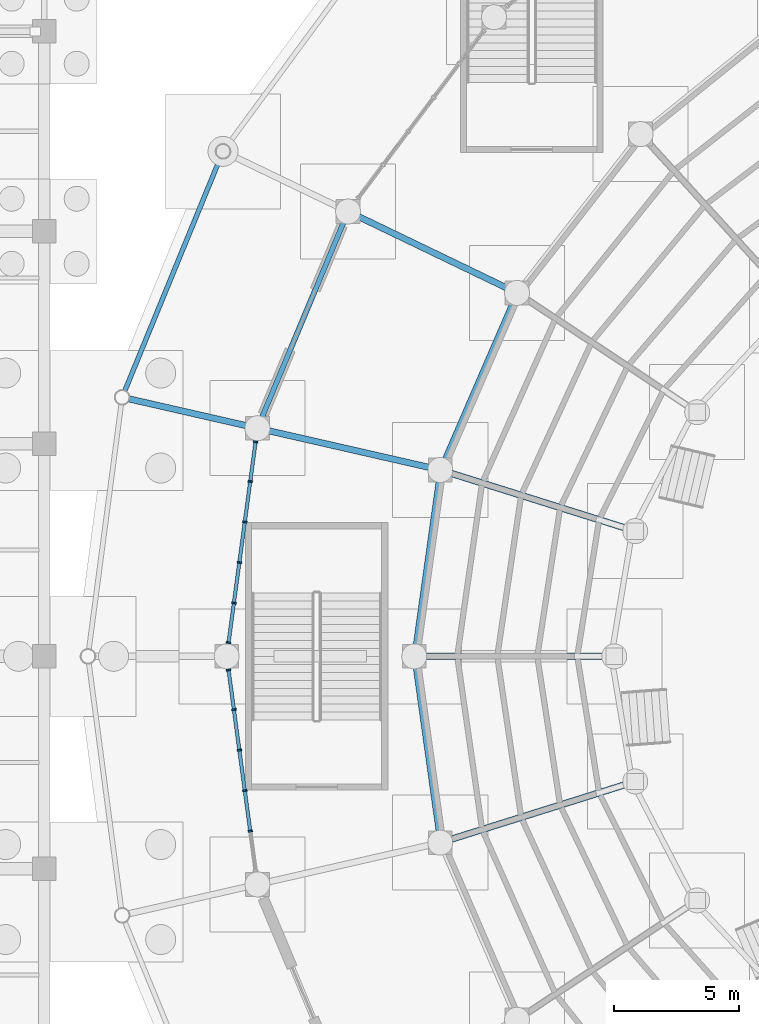
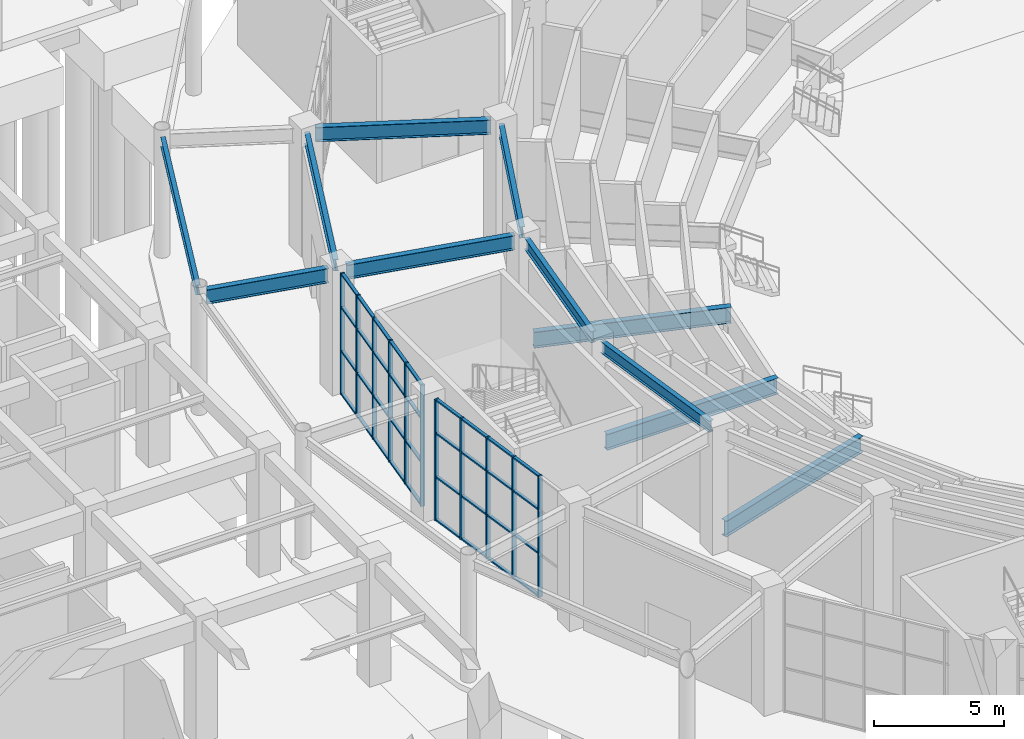
# One storey, part 39 of 121: 47 members, 11 beams, 2 elements without a shape of their own.
"""IFC4 building model written with IfcOpenShell, lengths in metres."""

from ifc_helpers import new_model, si_unit, direction, frame, origin, origin_2d, place, context, subcontext, project, spatial, rectangle, i_section, extrude, material, material_profile, profile_set, type_object, element, aggregate, save


model = new_model("IFC4")

# Units and contexts
model_context = context("Model", 3, precision=1e-05, world=origin(), true_north=direction((0.0, 1.0)))
body_context = subcontext(model_context, "Body", "Model", "MODEL_VIEW")
ifc_project = project(units=[si_unit("LENGTHUNIT", "METRE"), si_unit("AREAUNIT", "SQUARE_METRE"), si_unit("VOLUMEUNIT", "CUBIC_METRE"), si_unit("PLANEANGLEUNIT", "RADIAN"), si_unit("MASSUNIT", "GRAM", prefix="KILO")], contexts=[model_context])

# Site, building, storey
site_placement = place(None, origin())
site = spatial("IfcSite", under=ifc_project, at=site_placement, CompositionType="ELEMENT")
building_placement = place(site_placement, origin())
building = spatial("IfcBuilding", under=site, at=building_placement, Name="Cuetzalor Civic Arena", CompositionType="ELEMENT")
storey_placement = place(building_placement, origin())
storey = spatial("IfcBuildingStorey", under=building, at=storey_placement, Name="L00", CompositionType="ELEMENT", Elevation=0.0)

# Curtain wall, members
ifc_material_1 = material(Name="Anodised dark bronze aluminium and low-E solar glass", Category="aluminium")
curtain_wall_type = type_object("IfcCurtainWallType", Name="UnitisedCW_8150x5700", PredefinedType="USERDEFINED", material=ifc_material_1)
curtain_wall_1_placement = place(storey_placement, origin())
curtain_wall_1 = element("IfcCurtainWall", 1, at=curtain_wall_1_placement, inside=storey, type_object=curtain_wall_type, Name="Drum Ground Recessed Concourse Curtain Wall L00-010", ObjectType="UNITISED CURTAIN WALL", PredefinedType="USERDEFINED")
ifc_material_2 = material(Name="Anodised dark bronze aluminium", Category="aluminium")
ifc_material_profile_1 = material_profile(ifc_material_2, rectangle(XDim=0.070068359375, YDim=0.179931640625, at=origin_2d()), Name="ALU MULLION 70x180")
ifc_profile_set_1 = profile_set([ifc_material_profile_1], Name="Anodised dark bronze aluminium")
member_type_1 = type_object("IfcMemberType", Name="CurtainWallMullion_65x180", PredefinedType="MULLION", material=ifc_profile_set_1)
member_1_placement = place(storey_placement, frame((-48.926513671875, 0.546142578125, 0.0), z_axis=(0.0, 0.0, 1.0), x_axis=(0.133443440892, 0.991056430322, 0.0)))
member_1 = element("IfcMember", 2, at=member_1_placement, type_object=member_type_1, Name="CW-01 mullion 1", PredefinedType="MULLION", context=body_context, shape_type="SweptSolid", body=[
    extrude(rectangle(XDim=0.070068359375, YDim=0.179931640625, at=origin_2d()), origin(), (0.0, 0.0, 1.0), 5.699951171875),
])
member_2_placement = place(storey_placement, frame((-48.712890625, 2.131591796875, 0.0), z_axis=(0.0, 0.0, 1.0), x_axis=(0.133443440892, 0.991056430322, 0.0)))
member_2 = element("IfcMember", 3, at=member_2_placement, type_object=member_type_1, Name="CW-01 mullion 2", PredefinedType="MULLION", context=body_context, shape_type="SweptSolid", body=[
    extrude(rectangle(XDim=0.070068359375, YDim=0.179931640625, at=origin_2d()), origin(), (0.0, 0.0, 1.0), 5.699951171875),
])
member_3_placement = place(storey_placement, frame((-48.494873046875, 3.751708984375, 0.0), z_axis=(0.0, 0.0, 1.0), x_axis=(0.133443440892, 0.991056430322, 0.0)))
member_3 = element("IfcMember", 4, at=member_3_placement, type_object=member_type_1, Name="CW-01 mullion 3", PredefinedType="MULLION", context=body_context, shape_type="SweptSolid", body=[
    extrude(rectangle(XDim=0.070068359375, YDim=0.179931640625, at=origin_2d()), origin(), (0.0, 0.0, 1.0), 5.699951171875),
])
member_4_placement = place(storey_placement, frame((-48.276611328125, 5.371826171875, 0.0), z_axis=(0.0, 0.0, 1.0), x_axis=(0.133443440892, 0.991056430322, 0.0)))
member_4 = element("IfcMember", 5, at=member_4_placement, type_object=member_type_1, Name="CW-01 mullion 4", PredefinedType="MULLION", context=body_context, shape_type="SweptSolid", body=[
    extrude(rectangle(XDim=0.070068359375, YDim=0.179931640625, at=origin_2d()), origin(), (0.0, 0.0, 1.0), 5.699951171875),
])
member_5_placement = place(storey_placement, frame((-48.05859375, 6.99169921875, 0.0), z_axis=(0.0, 0.0, 1.0), x_axis=(0.133443440892, 0.991056430322, 0.0)))
member_5 = element("IfcMember", 6, at=member_5_placement, type_object=member_type_1, Name="CW-01 mullion 5", PredefinedType="MULLION", context=body_context, shape_type="SweptSolid", body=[
    extrude(rectangle(XDim=0.070068359375, YDim=0.179931640625, at=origin_2d()), origin(), (0.0, 0.0, 1.0), 5.699951171875),
])
member_6_placement = place(storey_placement, frame((-47.844970703125, 8.5771484375, 0.0), z_axis=(0.0, 0.0, 1.0), x_axis=(0.133443440892, 0.991056430322, 0.0)))
member_6 = element("IfcMember", 7, at=member_6_placement, type_object=member_type_1, Name="CW-01 mullion 6", PredefinedType="MULLION", context=body_context, shape_type="SweptSolid", body=[
    extrude(rectangle(XDim=0.070068359375, YDim=0.179931640625, at=origin_2d()), origin(), (0.0, 0.0, 1.0), 5.699951171875),
])

curtain_wall_2_placement = place(storey_placement, origin())
curtain_wall_2 = element("IfcCurtainWall", 8, at=curtain_wall_2_placement, inside=storey, type_object=curtain_wall_type, Name="Drum Ground Recessed Concourse Curtain Wall L00-011", ObjectType="UNITISED CURTAIN WALL", PredefinedType="USERDEFINED")
member_7_placement = place(storey_placement, frame((-48.05859375, -6.99169921875, 0.0), z_axis=(0.0, 0.0, 1.0), x_axis=(-0.133443440892, 0.991056430322, 0.0)))
member_7 = element("IfcMember", 9, at=member_7_placement, type_object=member_type_1, Name="CW-01 mullion 2", PredefinedType="MULLION", context=body_context, shape_type="SweptSolid", body=[
    extrude(rectangle(XDim=0.070068359375, YDim=0.179931640625, at=origin_2d()), origin(), (0.0, 0.0, 1.0), 5.699951171875),
])
member_8_placement = place(storey_placement, frame((-48.276611328125, -5.371826171875, 0.0), z_axis=(0.0, 0.0, 1.0), x_axis=(-0.133443440892, 0.991056430322, 0.0)))
member_8 = element("IfcMember", 10, at=member_8_placement, type_object=member_type_1, Name="CW-01 mullion 3", PredefinedType="MULLION", context=body_context, shape_type="SweptSolid", body=[
    extrude(rectangle(XDim=0.070068359375, YDim=0.179931640625, at=origin_2d()), origin(), (0.0, 0.0, 1.0), 5.699951171875),
])
member_9_placement = place(storey_placement, frame((-48.494873046875, -3.751708984375, 0.0), z_axis=(0.0, 0.0, 1.0), x_axis=(-0.133443440892, 0.991056430322, 0.0)))
member_9 = element("IfcMember", 11, at=member_9_placement, type_object=member_type_1, Name="CW-01 mullion 4", PredefinedType="MULLION", context=body_context, shape_type="SweptSolid", body=[
    extrude(rectangle(XDim=0.070068359375, YDim=0.179931640625, at=origin_2d()), origin(), (0.0, 0.0, 1.0), 5.699951171875),
])
member_10_placement = place(storey_placement, frame((-48.712890625, -2.131591796875, 0.0), z_axis=(0.0, 0.0, 1.0), x_axis=(-0.133443440892, 0.991056430322, 0.0)))
member_10 = element("IfcMember", 12, at=member_10_placement, type_object=member_type_1, Name="CW-01 mullion 5", PredefinedType="MULLION", context=body_context, shape_type="SweptSolid", body=[
    extrude(rectangle(XDim=0.070068359375, YDim=0.179931640625, at=origin_2d()), origin(), (0.0, 0.0, 1.0), 5.699951171875),
])
member_11_placement = place(storey_placement, frame((-48.926513671875, -0.546142578125, 0.0), z_axis=(0.0, 0.0, 1.0), x_axis=(-0.133443440892, 0.991056430322, 0.0)))
member_11 = element("IfcMember", 13, at=member_11_placement, type_object=member_type_1, Name="CW-01 mullion 6", PredefinedType="MULLION", context=body_context, shape_type="SweptSolid", body=[
    extrude(rectangle(XDim=0.070068359375, YDim=0.179931640625, at=origin_2d()), origin(), (0.0, 0.0, 1.0), 5.699951171875),
])

# Member
ifc_material_3 = material(Name="Anodised dark bronze aluminium", Category="aluminium")
ifc_material_profile_2 = material_profile(ifc_material_3, rectangle(XDim=0.139892578125, YDim=0.070068359375, at=origin_2d()), Name="ALU TRANSOM 70x140")
ifc_profile_set_2 = profile_set([ifc_material_profile_2], Name="Anodised dark bronze aluminium")
member_type_2 = type_object("IfcMemberType", Name="CurtainWallTransom_65x140", PredefinedType="USERDEFINED", material=ifc_profile_set_2)
member_12_placement = place(storey_placement, frame((-48.921875, 0.580810546875, 0.034912109375), z_axis=(0.133574786173, 0.991038736124, 0.0), x_axis=(-0.991038736124, 0.133574786173, 0.0)))
member_12 = element("IfcMember", 14, at=member_12_placement, type_object=member_type_2, Name="CW-01 transom 1.1", ObjectType="TRANSOM", PredefinedType="USERDEFINED", context=body_context, shape_type="SweptSolid", body=[
    extrude(rectangle(XDim=0.139892578125, YDim=0.070068359375, at=origin_2d()), origin(), (0.0, 0.0, 1.0), 1.52978515625),
])

member_13_placement = place(storey_placement, frame((-48.921875, 0.580810546875, 2.052001953125), z_axis=(0.133574786173, 0.991038736124, 0.0), x_axis=(-0.991038736124, 0.133574786173, 0.0)))
member_13 = element("IfcMember", 15, at=member_13_placement, type_object=member_type_2, Name="CW-01 transom 1.2", ObjectType="TRANSOM", PredefinedType="USERDEFINED", context=body_context, shape_type="SweptSolid", body=[
    extrude(rectangle(XDim=0.139892578125, YDim=0.070068359375, at=origin_2d()), origin(), (0.0, 0.0, 1.0), 1.52978515625),
])

member_14_placement = place(storey_placement, frame((-48.921875, 0.580810546875, 4.10400390625), z_axis=(0.133574786173, 0.991038736124, 0.0), x_axis=(-0.991038736124, 0.133574786173, 0.0)))
member_14 = element("IfcMember", 16, at=member_14_placement, type_object=member_type_2, Name="CW-01 transom 1.3", ObjectType="TRANSOM", PredefinedType="USERDEFINED", context=body_context, shape_type="SweptSolid", body=[
    extrude(rectangle(XDim=0.139892578125, YDim=0.070068359375, at=origin_2d()), origin(), (0.0, 0.0, 1.0), 1.52978515625),
])

member_15_placement = place(storey_placement, frame((-48.921875, 0.580810546875, 5.6650390625), z_axis=(0.133574786173, 0.991038736124, 0.0), x_axis=(-0.991038736124, 0.133574786173, 0.0)))
member_15 = element("IfcMember", 17, at=member_15_placement, type_object=member_type_2, Name="CW-01 transom 1.4", ObjectType="TRANSOM", PredefinedType="USERDEFINED", context=body_context, shape_type="SweptSolid", body=[
    extrude(rectangle(XDim=0.139892578125, YDim=0.070068359375, at=origin_2d()), origin(), (0.0, 0.0, 1.0), 1.52978515625),
])

member_16_placement = place(storey_placement, frame((-48.708251953125, 2.166259765625, 0.034912109375), z_axis=(0.13340022393, 0.991062248426, 0.0), x_axis=(-0.991062248426, 0.13340022393, 0.0)))
member_16 = element("IfcMember", 18, at=member_16_placement, type_object=member_type_2, Name="CW-01 transom 2.1", ObjectType="TRANSOM", PredefinedType="USERDEFINED", context=body_context, shape_type="SweptSolid", body=[
    extrude(rectangle(XDim=0.139892578125, YDim=0.070068359375, at=origin_2d()), origin(), (0.0, 0.0, 1.0), 1.564697265625),
])

member_17_placement = place(storey_placement, frame((-48.708251953125, 2.166259765625, 2.052001953125), z_axis=(0.13340022393, 0.991062248426, 0.0), x_axis=(-0.991062248426, 0.13340022393, 0.0)))
member_17 = element("IfcMember", 19, at=member_17_placement, type_object=member_type_2, Name="CW-01 transom 2.2", ObjectType="TRANSOM", PredefinedType="USERDEFINED", context=body_context, shape_type="SweptSolid", body=[
    extrude(rectangle(XDim=0.139892578125, YDim=0.070068359375, at=origin_2d()), origin(), (0.0, 0.0, 1.0), 1.564697265625),
])

member_18_placement = place(storey_placement, frame((-48.708251953125, 2.166259765625, 4.10400390625), z_axis=(0.13340022393, 0.991062248426, 0.0), x_axis=(-0.991062248426, 0.13340022393, 0.0)))
member_18 = element("IfcMember", 20, at=member_18_placement, type_object=member_type_2, Name="CW-01 transom 2.3", ObjectType="TRANSOM", PredefinedType="USERDEFINED", context=body_context, shape_type="SweptSolid", body=[
    extrude(rectangle(XDim=0.139892578125, YDim=0.070068359375, at=origin_2d()), origin(), (0.0, 0.0, 1.0), 1.564697265625),
])

member_19_placement = place(storey_placement, frame((-48.708251953125, 2.166259765625, 5.6650390625), z_axis=(0.13340022393, 0.991062248426, 0.0), x_axis=(-0.991062248426, 0.13340022393, 0.0)))
member_19 = element("IfcMember", 21, at=member_19_placement, type_object=member_type_2, Name="CW-01 transom 2.4", ObjectType="TRANSOM", PredefinedType="USERDEFINED", context=body_context, shape_type="SweptSolid", body=[
    extrude(rectangle(XDim=0.139892578125, YDim=0.070068359375, at=origin_2d()), origin(), (0.0, 0.0, 1.0), 1.564697265625),
])

member_20_placement = place(storey_placement, frame((-48.490234375, 3.786376953125, 0.034912109375), z_axis=(0.13355346626, 0.991041609444, 0.0), x_axis=(-0.991041609444, 0.13355346626, 0.0)))
member_20 = element("IfcMember", 22, at=member_20_placement, type_object=member_type_2, Name="CW-01 transom 3.1", ObjectType="TRANSOM", PredefinedType="USERDEFINED", context=body_context, shape_type="SweptSolid", body=[
    extrude(rectangle(XDim=0.139892578125, YDim=0.070068359375, at=origin_2d()), origin(), (0.0, 0.0, 1.0), 1.564697265625),
])

member_21_placement = place(storey_placement, frame((-48.490234375, 3.786376953125, 2.052001953125), z_axis=(0.13355346626, 0.991041609444, 0.0), x_axis=(-0.991041609444, 0.13355346626, 0.0)))
member_21 = element("IfcMember", 23, at=member_21_placement, type_object=member_type_2, Name="CW-01 transom 3.2", ObjectType="TRANSOM", PredefinedType="USERDEFINED", context=body_context, shape_type="SweptSolid", body=[
    extrude(rectangle(XDim=0.139892578125, YDim=0.070068359375, at=origin_2d()), origin(), (0.0, 0.0, 1.0), 1.564697265625),
])

member_22_placement = place(storey_placement, frame((-48.490234375, 3.786376953125, 4.10400390625), z_axis=(0.13355346626, 0.991041609444, 0.0), x_axis=(-0.991041609444, 0.13355346626, 0.0)))
member_22 = element("IfcMember", 24, at=member_22_placement, type_object=member_type_2, Name="CW-01 transom 3.3", ObjectType="TRANSOM", PredefinedType="USERDEFINED", context=body_context, shape_type="SweptSolid", body=[
    extrude(rectangle(XDim=0.139892578125, YDim=0.070068359375, at=origin_2d()), origin(), (0.0, 0.0, 1.0), 1.564697265625),
])

member_23_placement = place(storey_placement, frame((-48.490234375, 3.786376953125, 5.6650390625), z_axis=(0.13355346626, 0.991041609444, 0.0), x_axis=(-0.991041609444, 0.13355346626, 0.0)))
member_23 = element("IfcMember", 25, at=member_23_placement, type_object=member_type_2, Name="CW-01 transom 3.4", ObjectType="TRANSOM", PredefinedType="USERDEFINED", context=body_context, shape_type="SweptSolid", body=[
    extrude(rectangle(XDim=0.139892578125, YDim=0.070068359375, at=origin_2d()), origin(), (0.0, 0.0, 1.0), 1.564697265625),
])

member_24_placement = place(storey_placement, frame((-48.27197265625, 5.406494140625, 0.034912109375), z_axis=(0.133420854655, 0.991059471244, 0.0), x_axis=(-0.991059471244, 0.133420854655, 0.0)))
member_24 = element("IfcMember", 26, at=member_24_placement, type_object=member_type_2, Name="CW-01 transom 4.1", ObjectType="TRANSOM", PredefinedType="USERDEFINED", context=body_context, shape_type="SweptSolid", body=[
    extrude(rectangle(XDim=0.139892578125, YDim=0.070068359375, at=origin_2d()), origin(), (0.0, 0.0, 1.0), 1.564453125),
])

member_25_placement = place(storey_placement, frame((-48.27197265625, 5.406494140625, 2.052001953125), z_axis=(0.133420854655, 0.991059471244, 0.0), x_axis=(-0.991059471244, 0.133420854655, 0.0)))
member_25 = element("IfcMember", 27, at=member_25_placement, type_object=member_type_2, Name="CW-01 transom 4.2", ObjectType="TRANSOM", PredefinedType="USERDEFINED", context=body_context, shape_type="SweptSolid", body=[
    extrude(rectangle(XDim=0.139892578125, YDim=0.070068359375, at=origin_2d()), origin(), (0.0, 0.0, 1.0), 1.564453125),
])

member_26_placement = place(storey_placement, frame((-48.27197265625, 5.406494140625, 4.10400390625), z_axis=(0.133420854655, 0.991059471244, 0.0), x_axis=(-0.991059471244, 0.133420854655, 0.0)))
member_26 = element("IfcMember", 28, at=member_26_placement, type_object=member_type_2, Name="CW-01 transom 4.3", ObjectType="TRANSOM", PredefinedType="USERDEFINED", context=body_context, shape_type="SweptSolid", body=[
    extrude(rectangle(XDim=0.139892578125, YDim=0.070068359375, at=origin_2d()), origin(), (0.0, 0.0, 1.0), 1.564453125),
])

member_27_placement = place(storey_placement, frame((-48.27197265625, 5.406494140625, 5.6650390625), z_axis=(0.133420854655, 0.991059471244, 0.0), x_axis=(-0.991059471244, 0.133420854655, 0.0)))
member_27 = element("IfcMember", 29, at=member_27_placement, type_object=member_type_2, Name="CW-01 transom 4.4", ObjectType="TRANSOM", PredefinedType="USERDEFINED", context=body_context, shape_type="SweptSolid", body=[
    extrude(rectangle(XDim=0.139892578125, YDim=0.070068359375, at=origin_2d()), origin(), (0.0, 0.0, 1.0), 1.564453125),
])

member_28_placement = place(storey_placement, frame((-48.053955078125, 7.026611328125, 0.034912109375), z_axis=(0.133439146266, 0.991057008574, 0.0), x_axis=(-0.991057008574, 0.133439146266, 0.0)))
member_28 = element("IfcMember", 30, at=member_28_placement, type_object=member_type_2, Name="CW-01 transom 5.1", ObjectType="TRANSOM", PredefinedType="USERDEFINED", context=body_context, shape_type="SweptSolid", body=[
    extrude(rectangle(XDim=0.139892578125, YDim=0.070068359375, at=origin_2d()), origin(), (0.0, 0.0, 1.0), 1.529541015625),
])

member_29_placement = place(storey_placement, frame((-48.053955078125, 7.026611328125, 2.052001953125), z_axis=(0.133439146266, 0.991057008574, 0.0), x_axis=(-0.991057008574, 0.133439146266, 0.0)))
member_29 = element("IfcMember", 31, at=member_29_placement, type_object=member_type_2, Name="CW-01 transom 5.2", ObjectType="TRANSOM", PredefinedType="USERDEFINED", context=body_context, shape_type="SweptSolid", body=[
    extrude(rectangle(XDim=0.139892578125, YDim=0.070068359375, at=origin_2d()), origin(), (0.0, 0.0, 1.0), 1.529541015625),
])

member_30_placement = place(storey_placement, frame((-48.053955078125, 7.026611328125, 4.10400390625), z_axis=(0.133439146266, 0.991057008574, 0.0), x_axis=(-0.991057008574, 0.133439146266, 0.0)))
member_30 = element("IfcMember", 32, at=member_30_placement, type_object=member_type_2, Name="CW-01 transom 5.3", ObjectType="TRANSOM", PredefinedType="USERDEFINED", context=body_context, shape_type="SweptSolid", body=[
    extrude(rectangle(XDim=0.139892578125, YDim=0.070068359375, at=origin_2d()), origin(), (0.0, 0.0, 1.0), 1.529541015625),
])

member_31_placement = place(storey_placement, frame((-48.053955078125, 7.026611328125, 5.6650390625), z_axis=(0.133439146266, 0.991057008574, 0.0), x_axis=(-0.991057008574, 0.133439146266, 0.0)))
member_31 = element("IfcMember", 33, at=member_31_placement, type_object=member_type_2, Name="CW-01 transom 5.4", ObjectType="TRANSOM", PredefinedType="USERDEFINED", context=body_context, shape_type="SweptSolid", body=[
    extrude(rectangle(XDim=0.139892578125, YDim=0.070068359375, at=origin_2d()), origin(), (0.0, 0.0, 1.0), 1.529541015625),
])

aggregate(curtain_wall_1, [member_1, member_2, member_3, member_4, member_5, member_6, member_12, member_13, member_14, member_15, member_16, member_17, member_18, member_19, member_20, member_21, member_22, member_23, member_24, member_25, member_26, member_27, member_28, member_29, member_30, member_31])

member_32_placement = place(storey_placement, frame((-48.063232421875, -6.95703125, 0.034912109375), z_axis=(-0.133420854655, 0.991059471244, 0.0), x_axis=(-0.991059471244, -0.133420854655, 0.0)))
member_32 = element("IfcMember", 34, at=member_32_placement, type_object=member_type_2, Name="CW-01 transom 2.1", ObjectType="TRANSOM", PredefinedType="USERDEFINED", context=body_context, shape_type="SweptSolid", body=[
    extrude(rectangle(XDim=0.139892578125, YDim=0.070068359375, at=origin_2d()), origin(), (0.0, 0.0, 1.0), 1.564453125),
])

member_33_placement = place(storey_placement, frame((-48.063232421875, -6.95703125, 2.052001953125), z_axis=(-0.133420854655, 0.991059471244, 0.0), x_axis=(-0.991059471244, -0.133420854655, 0.0)))
member_33 = element("IfcMember", 35, at=member_33_placement, type_object=member_type_2, Name="CW-01 transom 2.2", ObjectType="TRANSOM", PredefinedType="USERDEFINED", context=body_context, shape_type="SweptSolid", body=[
    extrude(rectangle(XDim=0.139892578125, YDim=0.070068359375, at=origin_2d()), origin(), (0.0, 0.0, 1.0), 1.564453125),
])

member_34_placement = place(storey_placement, frame((-48.063232421875, -6.95703125, 4.10400390625), z_axis=(-0.133420854655, 0.991059471244, 0.0), x_axis=(-0.991059471244, -0.133420854655, 0.0)))
member_34 = element("IfcMember", 36, at=member_34_placement, type_object=member_type_2, Name="CW-01 transom 2.3", ObjectType="TRANSOM", PredefinedType="USERDEFINED", context=body_context, shape_type="SweptSolid", body=[
    extrude(rectangle(XDim=0.139892578125, YDim=0.070068359375, at=origin_2d()), origin(), (0.0, 0.0, 1.0), 1.564453125),
])

member_35_placement = place(storey_placement, frame((-48.063232421875, -6.95703125, 5.6650390625), z_axis=(-0.133420854655, 0.991059471244, 0.0), x_axis=(-0.991059471244, -0.133420854655, 0.0)))
member_35 = element("IfcMember", 37, at=member_35_placement, type_object=member_type_2, Name="CW-01 transom 2.4", ObjectType="TRANSOM", PredefinedType="USERDEFINED", context=body_context, shape_type="SweptSolid", body=[
    extrude(rectangle(XDim=0.139892578125, YDim=0.070068359375, at=origin_2d()), origin(), (0.0, 0.0, 1.0), 1.564453125),
])

member_36_placement = place(storey_placement, frame((-48.28125, -5.337158203125, 0.034912109375), z_axis=(-0.13355346626, 0.991041609444, 0.0), x_axis=(-0.991041609444, -0.13355346626, 0.0)))
member_36 = element("IfcMember", 38, at=member_36_placement, type_object=member_type_2, Name="CW-01 transom 3.1", ObjectType="TRANSOM", PredefinedType="USERDEFINED", context=body_context, shape_type="SweptSolid", body=[
    extrude(rectangle(XDim=0.139892578125, YDim=0.070068359375, at=origin_2d()), origin(), (0.0, 0.0, 1.0), 1.564697265625),
])

member_37_placement = place(storey_placement, frame((-48.28125, -5.337158203125, 2.052001953125), z_axis=(-0.13355346626, 0.991041609444, 0.0), x_axis=(-0.991041609444, -0.13355346626, 0.0)))
member_37 = element("IfcMember", 39, at=member_37_placement, type_object=member_type_2, Name="CW-01 transom 3.2", ObjectType="TRANSOM", PredefinedType="USERDEFINED", context=body_context, shape_type="SweptSolid", body=[
    extrude(rectangle(XDim=0.139892578125, YDim=0.070068359375, at=origin_2d()), origin(), (0.0, 0.0, 1.0), 1.564697265625),
])

member_38_placement = place(storey_placement, frame((-48.28125, -5.337158203125, 4.10400390625), z_axis=(-0.13355346626, 0.991041609444, 0.0), x_axis=(-0.991041609444, -0.13355346626, 0.0)))
member_38 = element("IfcMember", 40, at=member_38_placement, type_object=member_type_2, Name="CW-01 transom 3.3", ObjectType="TRANSOM", PredefinedType="USERDEFINED", context=body_context, shape_type="SweptSolid", body=[
    extrude(rectangle(XDim=0.139892578125, YDim=0.070068359375, at=origin_2d()), origin(), (0.0, 0.0, 1.0), 1.564697265625),
])

member_39_placement = place(storey_placement, frame((-48.28125, -5.337158203125, 5.6650390625), z_axis=(-0.13355346626, 0.991041609444, 0.0), x_axis=(-0.991041609444, -0.13355346626, 0.0)))
member_39 = element("IfcMember", 41, at=member_39_placement, type_object=member_type_2, Name="CW-01 transom 3.4", ObjectType="TRANSOM", PredefinedType="USERDEFINED", context=body_context, shape_type="SweptSolid", body=[
    extrude(rectangle(XDim=0.139892578125, YDim=0.070068359375, at=origin_2d()), origin(), (0.0, 0.0, 1.0), 1.564697265625),
])

member_40_placement = place(storey_placement, frame((-48.49951171875, -3.717041015625, 0.034912109375), z_axis=(-0.13340022393, 0.991062248426, 0.0), x_axis=(-0.991062248426, -0.13340022393, 0.0)))
member_40 = element("IfcMember", 42, at=member_40_placement, type_object=member_type_2, Name="CW-01 transom 4.1", ObjectType="TRANSOM", PredefinedType="USERDEFINED", context=body_context, shape_type="SweptSolid", body=[
    extrude(rectangle(XDim=0.139892578125, YDim=0.070068359375, at=origin_2d()), origin(), (0.0, 0.0, 1.0), 1.564697265625),
])

member_41_placement = place(storey_placement, frame((-48.49951171875, -3.717041015625, 2.052001953125), z_axis=(-0.13340022393, 0.991062248426, 0.0), x_axis=(-0.991062248426, -0.13340022393, 0.0)))
member_41 = element("IfcMember", 43, at=member_41_placement, type_object=member_type_2, Name="CW-01 transom 4.2", ObjectType="TRANSOM", PredefinedType="USERDEFINED", context=body_context, shape_type="SweptSolid", body=[
    extrude(rectangle(XDim=0.139892578125, YDim=0.070068359375, at=origin_2d()), origin(), (0.0, 0.0, 1.0), 1.564697265625),
])

member_42_placement = place(storey_placement, frame((-48.49951171875, -3.717041015625, 4.10400390625), z_axis=(-0.13340022393, 0.991062248426, 0.0), x_axis=(-0.991062248426, -0.13340022393, 0.0)))
member_42 = element("IfcMember", 44, at=member_42_placement, type_object=member_type_2, Name="CW-01 transom 4.3", ObjectType="TRANSOM", PredefinedType="USERDEFINED", context=body_context, shape_type="SweptSolid", body=[
    extrude(rectangle(XDim=0.139892578125, YDim=0.070068359375, at=origin_2d()), origin(), (0.0, 0.0, 1.0), 1.564697265625),
])

member_43_placement = place(storey_placement, frame((-48.49951171875, -3.717041015625, 5.6650390625), z_axis=(-0.13340022393, 0.991062248426, 0.0), x_axis=(-0.991062248426, -0.13340022393, 0.0)))
member_43 = element("IfcMember", 45, at=member_43_placement, type_object=member_type_2, Name="CW-01 transom 4.4", ObjectType="TRANSOM", PredefinedType="USERDEFINED", context=body_context, shape_type="SweptSolid", body=[
    extrude(rectangle(XDim=0.139892578125, YDim=0.070068359375, at=origin_2d()), origin(), (0.0, 0.0, 1.0), 1.564697265625),
])

member_44_placement = place(storey_placement, frame((-48.717529296875, -2.096923828125, 0.034912109375), z_axis=(-0.133574786173, 0.991038736124, 0.0), x_axis=(-0.991038736124, -0.133574786173, 0.0)))
member_44 = element("IfcMember", 46, at=member_44_placement, type_object=member_type_2, Name="CW-01 transom 5.1", ObjectType="TRANSOM", PredefinedType="USERDEFINED", context=body_context, shape_type="SweptSolid", body=[
    extrude(rectangle(XDim=0.139892578125, YDim=0.070068359375, at=origin_2d()), origin(), (0.0, 0.0, 1.0), 1.52978515625),
])

member_45_placement = place(storey_placement, frame((-48.717529296875, -2.096923828125, 2.052001953125), z_axis=(-0.133574786173, 0.991038736124, 0.0), x_axis=(-0.991038736124, -0.133574786173, 0.0)))
member_45 = element("IfcMember", 47, at=member_45_placement, type_object=member_type_2, Name="CW-01 transom 5.2", ObjectType="TRANSOM", PredefinedType="USERDEFINED", context=body_context, shape_type="SweptSolid", body=[
    extrude(rectangle(XDim=0.139892578125, YDim=0.070068359375, at=origin_2d()), origin(), (0.0, 0.0, 1.0), 1.52978515625),
])

member_46_placement = place(storey_placement, frame((-48.717529296875, -2.096923828125, 4.10400390625), z_axis=(-0.133574786173, 0.991038736124, 0.0), x_axis=(-0.991038736124, -0.133574786173, 0.0)))
member_46 = element("IfcMember", 48, at=member_46_placement, type_object=member_type_2, Name="CW-01 transom 5.3", ObjectType="TRANSOM", PredefinedType="USERDEFINED", context=body_context, shape_type="SweptSolid", body=[
    extrude(rectangle(XDim=0.139892578125, YDim=0.070068359375, at=origin_2d()), origin(), (0.0, 0.0, 1.0), 1.52978515625),
])

member_47_placement = place(storey_placement, frame((-48.717529296875, -2.096923828125, 5.6650390625), z_axis=(-0.133574786173, 0.991038736124, 0.0), x_axis=(-0.991038736124, -0.133574786173, 0.0)))
member_47 = element("IfcMember", 49, at=member_47_placement, type_object=member_type_2, Name="CW-01 transom 5.4", ObjectType="TRANSOM", PredefinedType="USERDEFINED", context=body_context, shape_type="SweptSolid", body=[
    extrude(rectangle(XDim=0.139892578125, YDim=0.070068359375, at=origin_2d()), origin(), (0.0, 0.0, 1.0), 1.52978515625),
])

aggregate(curtain_wall_2, [member_7, member_8, member_9, member_10, member_11, member_32, member_33, member_34, member_35, member_36, member_37, member_38, member_39, member_40, member_41, member_42, member_43, member_44, member_45, member_46, member_47])

# Beams
ifc_material_4 = material(Name="Steel S355", Category="steel")
ifc_material_profile_3 = material_profile(ifc_material_4, i_section(OverallWidth=0.18994140625, OverallDepth=0.45703125, WebThickness=0.009033203125, FlangeThickness=0.014404296875, at=origin_2d()), Name="W460x74")
ifc_profile_set_3 = profile_set([ifc_material_profile_3], Name="Steel S355")
beam_type_1 = type_object("IfcBeamType", Name="FacadeSpandrelBeam_W460", PredefinedType="SPANDREL", material=ifc_profile_set_3)
beam_1_placement = place(storey_placement, frame((-49.2578125, 19.928955078125, 5.471435546875), z_axis=(-0.379398599643, -0.925233323324, 0.0), x_axis=(0.925233323324, -0.379398599643, 0.0)))
element("IfcBeam", 50, at=beam_1_placement, inside=storey, type_object=beam_type_1, Name="Drum Perimeter Spandrel L00-S13", PredefinedType="SPANDREL", context=body_context, shape_type="SweptSolid", body=[
    extrude(i_section(OverallWidth=0.18994140625, OverallDepth=0.45703125, WebThickness=0.009033203125, FlangeThickness=0.014404296875, at=origin_2d()), origin(), (0.0, 0.0, 1.0), 10.053955078125),
])
ifc_material_5 = material(Name="Steel S355", Category="steel")
ifc_material_profile_4 = material_profile(ifc_material_5, i_section(OverallWidth=0.264892578125, OverallDepth=0.7529296875, WebThickness=0.01318359375, FlangeThickness=0.01708984375, at=origin_2d()), Name="W760x147")
ifc_profile_set_4 = profile_set([ifc_material_profile_4], Name="Steel S355")
beam_type_2 = type_object("IfcBeamType", Name="LowerBowlRakerBeam_W760", PredefinedType="USERDEFINED", material=ifc_profile_set_4)
beam_2_placement = place(storey_placement, frame((-32.66015625, 5.006591796875, 0.6435546875), z_axis=(-0.954109900706, 0.29945667028, 0.0), x_axis=(-0.29945667028, -0.954109900706, 0.0)))
element("IfcBeam", 51, at=beam_2_placement, inside=storey, type_object=beam_type_2, Name="Lower Bowl Raker Beam R14", ObjectType="RAKER", PredefinedType="USERDEFINED", context=body_context, shape_type="SweptSolid", body=[
    extrude(i_section(OverallWidth=0.264892578125, OverallDepth=0.7529296875, WebThickness=0.01318359375, FlangeThickness=0.01708984375, at=origin_2d()), origin(), (0.0, 0.0, 1.0), 7.7744140625),
])
beam_3_placement = place(storey_placement, frame((-33.5, 0.0, 0.6435546875), z_axis=(-1.0, 0.0, 0.0), x_axis=(0.0, -1.0, 0.0)))
element("IfcBeam", 52, at=beam_3_placement, inside=storey, type_object=beam_type_2, Name="Lower Bowl Raker Beam R15", ObjectType="RAKER", PredefinedType="USERDEFINED", context=body_context, shape_type="SweptSolid", body=[
    extrude(i_section(OverallWidth=0.264892578125, OverallDepth=0.7529296875, WebThickness=0.01318359375, FlangeThickness=0.01708984375, at=origin_2d()), origin(), (0.0, 0.0, 1.0), 7.60009765625),
])
beam_4_placement = place(storey_placement, frame((-32.66015625, -5.006591796875, 0.6435546875), z_axis=(-0.954109900706, -0.29945667028, 0.0), x_axis=(0.29945667028, -0.954109900706, 0.0)))
element("IfcBeam", 53, at=beam_4_placement, inside=storey, type_object=beam_type_2, Name="Lower Bowl Raker Beam R16", ObjectType="RAKER", PredefinedType="USERDEFINED", context=body_context, shape_type="SweptSolid", body=[
    extrude(i_section(OverallWidth=0.264892578125, OverallDepth=0.7529296875, WebThickness=0.01318359375, FlangeThickness=0.01708984375, at=origin_2d()), origin(), (0.0, 0.0, 1.0), 7.7744140625),
])
ifc_material_6 = material(Name="Steel S355", Category="steel")
ifc_material_profile_5 = material_profile(ifc_material_6, i_section(OverallWidth=0.208984375, OverallDepth=0.532958984375, WebThickness=0.01025390625, FlangeThickness=0.015625, at=origin_2d()), Name="W530x92")
ifc_profile_set_5 = profile_set([ifc_material_profile_5], Name="Steel S355")
beam_type_3 = type_object("IfcBeamType", Name="SteelCollarGirder_W530", PredefinedType="BEAM", material=ifc_profile_set_5)
beam_5_placement = place(storey_placement, frame((-44.290283203125, 17.44775390625, 5.43359375), z_axis=(-0.385813116722, -0.922576955579, 0.0), x_axis=(0.922576955579, -0.385813116722, 0.0)))
element("IfcBeam", 54, at=beam_5_placement, inside=storey, type_object=beam_type_3, Name="Drum Concourse Ring Girder L00-S13", PredefinedType="BEAM", context=body_context, shape_type="SweptSolid", body=[
    extrude(i_section(OverallWidth=0.208984375, OverallDepth=0.532958984375, WebThickness=0.01025390625, FlangeThickness=0.015625, at=origin_2d()), origin(), (0.0, 0.0, 1.0), 8.65283203125),
])
beam_6_placement = place(storey_placement, frame((-37.533447265625, 14.204833984375, 5.43359375), z_axis=(-0.39772689401, -0.917503851644, 0.0), x_axis=(0.917503851644, -0.39772689401, 0.0)))
element("IfcBeam", 55, at=beam_6_placement, inside=storey, type_object=beam_type_3, Name="Bowl Inner Ring Girder L00-S13", PredefinedType="BEAM", context=body_context, shape_type="SweptSolid", body=[
    extrude(i_section(OverallWidth=0.208984375, OverallDepth=0.532958984375, WebThickness=0.01025390625, FlangeThickness=0.015625, at=origin_2d()), origin(), (0.0, 0.0, 1.0), 6.9970703125),
])
for number, where, z_axis, x_axis, name in (
    (56, (-40.50927734375, 7.097900390625, 5.43359375), (-0.138232032173, -0.990399871406, 0.0), (0.990399871406, -0.138232032173, 0.0), "Bowl Inner Ring Girder L00-S14"),
    (57, (-41.4501953125, -0.3564453125, 5.43359375), (0.138232032173, -0.990399871406, 0.0), (0.990399871406, 0.138232032173, 0.0), "Bowl Inner Ring Girder L00-S15"),
):
    element("IfcBeam", number, at=place(storey_placement, frame(where, z_axis=z_axis, x_axis=x_axis)), inside=storey, type_object=beam_type_3, Name=name, PredefinedType="BEAM", context=body_context, shape_type="SweptSolid", body=[
        extrude(i_section(OverallWidth=0.208984375, OverallDepth=0.532958984375, WebThickness=0.01025390625, FlangeThickness=0.015625, at=origin_2d()), origin(), (0.0, 0.0, 1.0), 6.806884765625),
    ])
ifc_material_7 = material(Name="Steel S355", Category="steel")
ifc_material_profile_6 = material_profile(ifc_material_7, i_section(OverallWidth=0.2529296875, OverallDepth=0.677978515625, WebThickness=0.01171875, FlangeThickness=0.016357421875, at=origin_2d()), Name="W690x125")
ifc_profile_set_6 = profile_set([ifc_material_profile_6], Name="Steel S355")
beam_type_4 = type_object("IfcBeamType", Name="SteelPrimaryGirder_W690", PredefinedType="BEAM", material=ifc_profile_set_6)
beam_7_placement = place(storey_placement, frame((-37.714599609375, 14.69140625, 5.361083984375), z_axis=(-0.900975603874, 0.433869751452, 0.0), x_axis=(-0.433869751452, -0.900975603874, 0.0)))
element("IfcBeam", 58, at=beam_7_placement, inside=storey, type_object=beam_type_4, Name="Drum Inner Radial Girder L00-R13", PredefinedType="BEAM", context=body_context, shape_type="SweptSolid", body=[
    extrude(i_section(OverallWidth=0.2529296875, OverallDepth=0.677978515625, WebThickness=0.01171875, FlangeThickness=0.016357421875, at=origin_2d()), origin(), (0.0, 0.0, 1.0), 6.780029296875),
])
beam_8_placement = place(storey_placement, frame((-48.12255859375, 9.20361328125, 5.361083984375), z_axis=(-0.974939153271, 0.222471677792, 0.0), x_axis=(-0.222471677792, -0.974939153271, 0.0)))
element("IfcBeam", 59, at=beam_8_placement, inside=storey, type_object=beam_type_4, Name="Drum Radial Girder L00-R14", PredefinedType="BEAM", context=body_context, shape_type="SweptSolid", body=[
    extrude(i_section(OverallWidth=0.2529296875, OverallDepth=0.677978515625, WebThickness=0.01171875, FlangeThickness=0.016357421875, at=origin_2d()), origin(), (0.0, 0.0, 1.0), 4.89990234375),
])
beam_9_placement = place(storey_placement, frame((-40.810546875, 7.53466796875, 5.361083984375), z_axis=(-0.974931535482, 0.222505058645, 0.0), x_axis=(-0.222505058645, -0.974931535482, 0.0)))
element("IfcBeam", 60, at=beam_9_placement, inside=storey, type_object=beam_type_4, Name="Drum Inner Radial Girder L00-R14", PredefinedType="BEAM", context=body_context, shape_type="SweptSolid", body=[
    extrude(i_section(OverallWidth=0.2529296875, OverallDepth=0.677978515625, WebThickness=0.01171875, FlangeThickness=0.016357421875, at=origin_2d()), origin(), (0.0, 0.0, 1.0), 6.77978515625),
])

save(model, "model.ifc")
